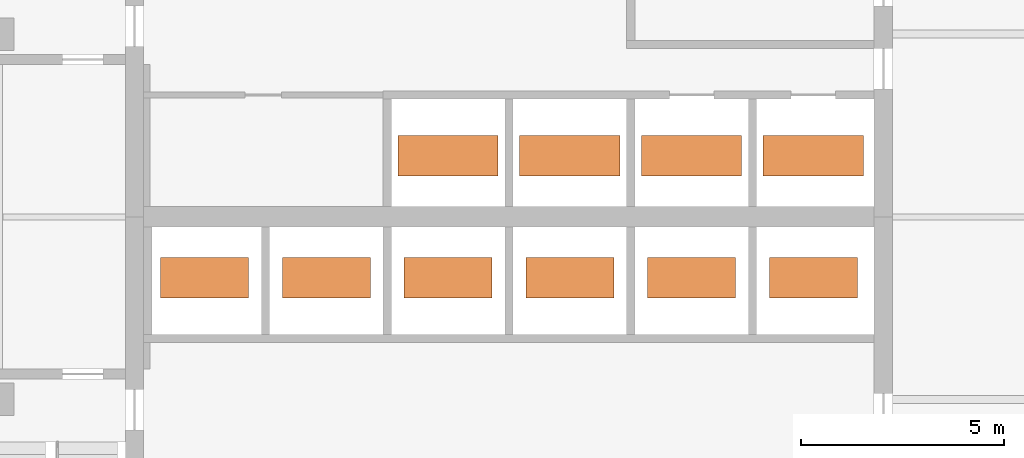
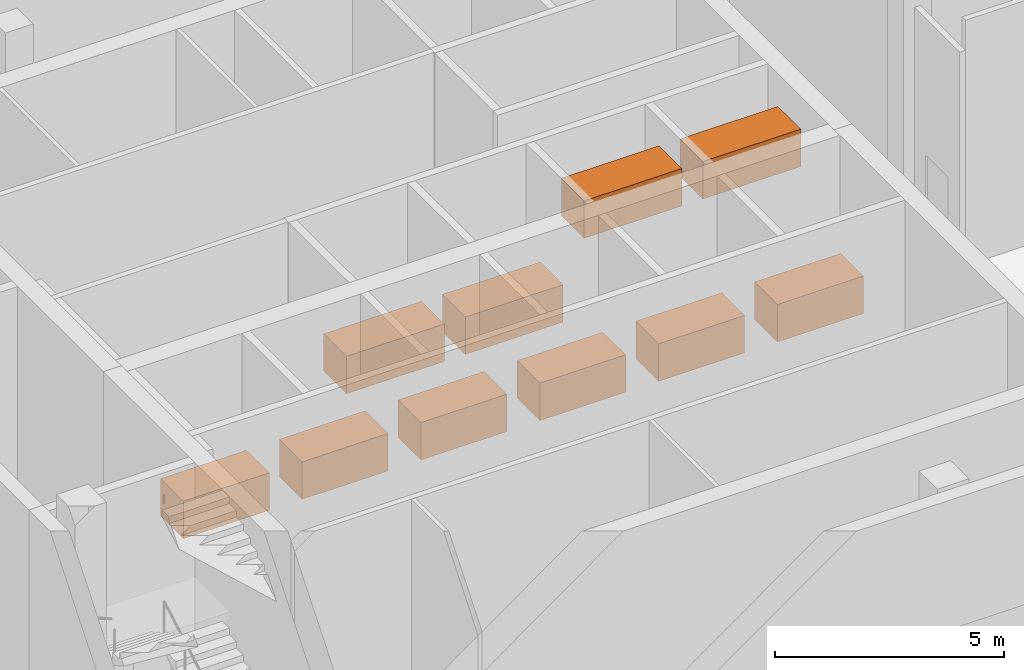
# One storey, part 8 of 8: 10 proxies.
"""IFC4 building model written with IfcOpenShell, lengths in metres."""

from ifc_helpers import new_model, si_unit, direction, frame, origin, origin_2d, place, context, subcontext, project, spatial, rectangle, extrude, material, type_object, element, save


model = new_model("IFC4")

# Units and contexts
model_context = context("Model", 3, precision=1e-05, world=origin(), true_north=direction((0.0, 1.0)))
body_context = subcontext(model_context, "Body", "Model", "MODEL_VIEW")
ifc_project = project(units=[si_unit("LENGTHUNIT", "METRE"), si_unit("AREAUNIT", "SQUARE_METRE"), si_unit("VOLUMEUNIT", "CUBIC_METRE"), si_unit("PLANEANGLEUNIT", "RADIAN"), si_unit("MASSUNIT", "GRAM", prefix="KILO")], contexts=[model_context])

# Site, building, storey
site_placement = place(None, origin())
site = spatial("IfcSite", under=ifc_project, at=site_placement, CompositionType="ELEMENT")
building_placement = place(site_placement, origin())
building = spatial("IfcBuilding", under=site, at=building_placement, Name="Cinnabar Reach Civic Tower", CompositionType="ELEMENT")
storey_placement = place(building_placement, frame((0.0, 0.0, 291.0)))
storey = spatial("IfcBuildingStorey", under=building, at=storey_placement, Name="L69", CompositionType="ELEMENT", Elevation=291.0)

# Proxies
ifc_material = material(Name="Steel", Category="steel")
building_element_proxy_type = type_object("IfcBuildingElementProxyType", Name="T1 lift machine", PredefinedType="USERDEFINED", material=ifc_material)
for number, where, z_axis, x_axis, name in (
    (1, (6.0, 30.0, 3.0), (0.0, 0.0, 1.0), (1.0, 0.0, 0.0), "T1-HR1 machine"),
    (2, (9.0, 30.0, 3.0), (0.0, 0.0, 1.0), (1.0, 0.0, 0.0), "T1-HR2 machine"),
    (3, (12.0, 30.0, 3.0), (0.0, 0.0, 1.0), (1.0, 0.0, 0.0), "T1-HR3 machine"),
    (4, (15.0, 30.0, 3.0), (0.0, 0.0, 1.0), (1.0, 0.0, 0.0), "T1-HR4 machine"),
    (5, (18.0, 30.0, 3.0), (0.0, 0.0, 1.0), (1.0, 0.0, 0.0), "T1-HR5 machine"),
    (6, (21.0, 30.0, 3.0), (0.0, 0.0, 1.0), (1.0, 0.0, 0.0), "T1-HR6 machine"),
):
    element("IfcBuildingElementProxy", number, at=place(storey_placement, frame(where, z_axis=z_axis, x_axis=x_axis)), inside=storey, type_object=building_element_proxy_type, Name=name, ObjectType="LIFT MACHINE", PredefinedType="USERDEFINED", context=body_context, shape_type="SweptSolid", body=[
        extrude(rectangle(XDim=2.17, YDim=1.0, at=origin_2d()), origin(), (0.0, 0.0, 1.0), 1.0),
    ])
for number, where, z_axis, x_axis, name in (
    (7, (12.0, 33.0, 3.0), (0.0, 0.0, 1.0), (1.0, 0.0, 0.0), "T1-OB1 machine"),
    (8, (15.0, 33.0, 3.0), (0.0, 0.0, 1.0), (1.0, 0.0, 0.0), "T1-OB2 machine"),
    (9, (18.0, 33.0, 5.05), (0.0, 0.0, 1.0), (1.0, 0.0, 0.0), "T1-SV1 machine"),
    (10, (21.0, 33.0, 5.05), (0.0, 0.0, 1.0), (1.0, 0.0, 0.0), "T1-SV2 machine"),
):
    element("IfcBuildingElementProxy", number, at=place(storey_placement, frame(where, z_axis=z_axis, x_axis=x_axis)), inside=storey, type_object=building_element_proxy_type, Name=name, ObjectType="LIFT MACHINE", PredefinedType="USERDEFINED", context=body_context, shape_type="SweptSolid", body=[
        extrude(rectangle(XDim=2.47, YDim=1.0, at=origin_2d()), origin(), (0.0, 0.0, 1.0), 1.0),
    ])

save(model, "model.ifc")
